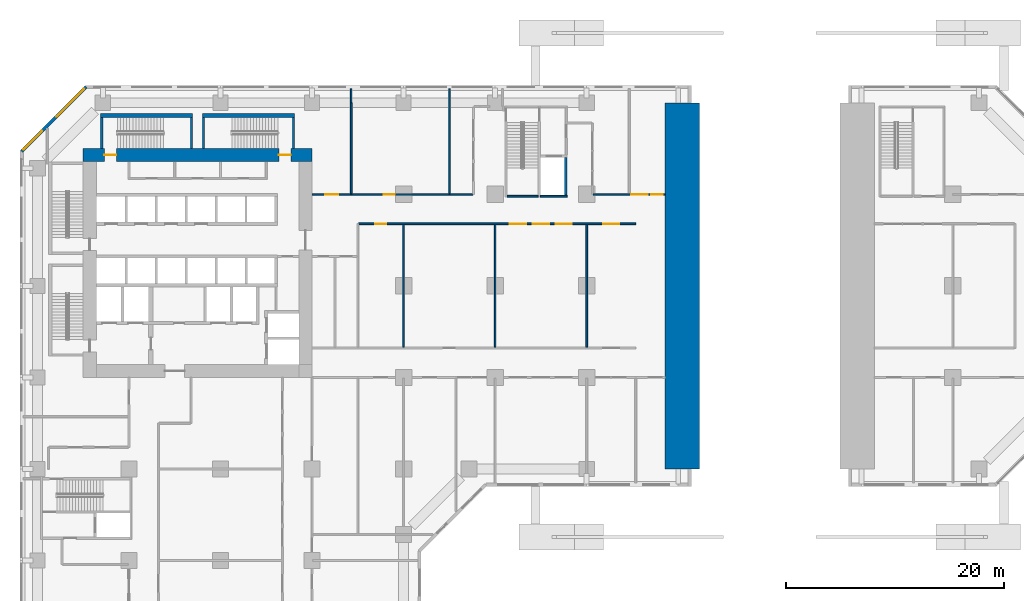
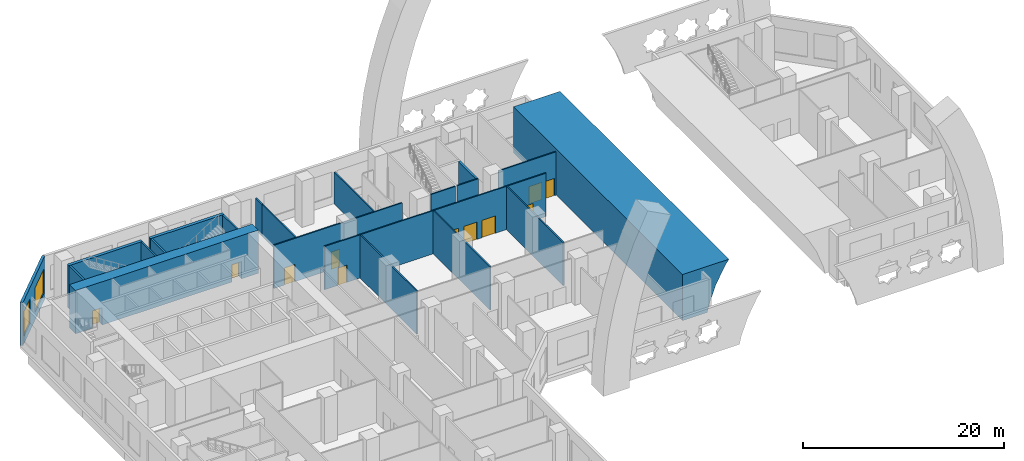
# One storey, part 10 of 19: 21 walls, 11 doors, 2 windows, 13 openings.
"""IFC4 building model written with IfcOpenShell, lengths in metres."""

from ifc_helpers import new_model, si_unit, direction, frame, frame_2d, origin, place, context, subcontext, project, spatial, polyline, rectangle, outline, extrude, material, layer, layer_set, type_object, element, fill, save


model = new_model("IFC4")

# Units and contexts
model_context = context("Model", 3, precision=1e-05, world=origin(), true_north=direction((0.0, 1.0)))
body_context = subcontext(model_context, "Body", "Model", "MODEL_VIEW")
ifc_project = project(units=[si_unit("LENGTHUNIT", "METRE"), si_unit("AREAUNIT", "SQUARE_METRE"), si_unit("VOLUMEUNIT", "CUBIC_METRE"), si_unit("PLANEANGLEUNIT", "RADIAN"), si_unit("MASSUNIT", "GRAM", prefix="KILO")], contexts=[model_context])

# Site, building, storey
site_placement = place(None, origin())
site = spatial("IfcSite", under=ifc_project, at=site_placement, CompositionType="ELEMENT")
building_placement = place(site_placement, origin())
building = spatial("IfcBuilding", under=site, at=building_placement, Name="Kawkab Arch Medical Tower", CompositionType="ELEMENT")
storey_placement = place(building_placement, frame((0.0, 0.0, 12.60009765625)))
storey = spatial("IfcBuildingStorey", under=building, at=storey_placement, Name="L03", CompositionType="ELEMENT", Elevation=12.60009765625)

# Wall
ifc_material_1 = material(Name="Concrete C60/75", Category="concrete")
wall_type_1 = type_object("IfcWallType", Name="Arch wall C60/75", PredefinedType="SHEAR", material=ifc_material_1)
wall_1_placement = place(storey_placement, frame((0.0, 0.0, -12.60009765625), z_axis=(0.0, -1.0, 0.0), x_axis=(1.0, 0.0, 0.0)))
element("IfcWall", 1, at=wall_1_placement, inside=storey, type_object=wall_type_1, Name="Arch wall L03-1", PredefinedType="SHEAR", context=body_context, shape_type="SweptSolid", body=[
    extrude(outline(polyline([(62.9375, 18.199951171875), (62.48388671875, 17.5830078125), (61.4140625, 15.591064453125), (60.634033203125, 13.468017578125), (60.447509765625, 12.60009765625), (57.60009765625, 12.60009765625), (57.60009765625, 18.199951171875), (62.9375, 18.199951171875)])), origin(), (0.0, 0.0, 1.0), 33.60009765625),
])

# Wall, openings, doors
ifc_material_2 = material(Name="Concrete C60/75", Category="concrete")
ifc_layer_1 = layer(ifc_material_2, 1.199951171875)
ifc_layer_set_1 = layer_set([ifc_layer_1], Name="Concrete C60/75")
wall_type_2 = type_object("IfcWallType", Name="Core ring wall 1200 C60/75", PredefinedType="SHEAR", material=ifc_layer_set_1)
wall_2_placement = place(storey_placement, frame((4.199951171875, -4.800048828125, 0.0), z_axis=(0.0, 0.0, 1.0), x_axis=(1.0, 0.0, 0.0)))
wall_2 = element("IfcWall", 2, at=wall_2_placement, inside=storey, type_object=wall_type_2, Name="L03 core wall", PredefinedType="SHEAR", context=body_context, shape_type="SweptSolid", body=[
    extrude(rectangle(XDim=21.0, YDim=1.199951171875, at=frame_2d((10.5, 0.0))), origin(), (0.0, 0.0, 1.0), 5.25),
])
opening_1_placement = place(wall_2_placement, frame((1.949951171875, 0.0, 0.0)))
opening_1 = element("IfcOpeningElement", 3, at=opening_1_placement, cuts=wall_2, Name="Opening SD", PredefinedType="OPENING", context=body_context, shape_type="SweptSolid", body=[
    extrude(rectangle(XDim=1.10009765625, YDim=2.10009765625, at=frame_2d((0.550048828125, 1.050048828125))), frame((0.0, 0.60986328125, 0.0), z_axis=(0.0, -1.0, 0.0), x_axis=(1.0, 0.0, 0.0)), (0.0, 0.0, 1.0), 1.219970703125),
])
opening_2_placement = place(wall_2_placement, frame((17.949951171875, 0.0, 0.0)))
opening_2 = element("IfcOpeningElement", 4, at=opening_2_placement, cuts=wall_2, Name="Opening SD", PredefinedType="OPENING", context=body_context, shape_type="SweptSolid", body=[
    extrude(rectangle(XDim=1.10009765625, YDim=2.10009765625, at=frame_2d((0.550048828125, 1.050048828125))), frame((0.0, 0.60986328125, 0.0), z_axis=(0.0, -1.0, 0.0), x_axis=(1.0, 0.0, 0.0)), (0.0, 0.0, 1.0), 1.219970703125),
])
ifc_material_3 = material(Name="Hollow metal fire door leaf")
door_type_1 = type_object("IfcDoorType", Name="Exit stair door 1100", OperationType="SINGLE_SWING_LEFT", PredefinedType="DOOR", material=ifc_material_3)
door_1_placement = place(opening_1_placement, origin())
door_1 = element("IfcDoor", 5, at=door_1_placement, inside=storey, type_object=door_type_1, Name="L03 Exit stair ST3 door", OperationType="SINGLE_SWING_LEFT", OverallHeight=2.10009765625, OverallWidth=1.10009765625, PredefinedType="DOOR", context=body_context, shape_type="SweptSolid", body=[
    extrude(rectangle(XDim=1.10009765625, YDim=2.10009765625, at=frame_2d((0.550048828125, 1.050048828125))), frame((0.0, 0.02490234375, 0.0), z_axis=(0.0, -1.0, 0.0), x_axis=(1.0, 0.0, 0.0)), (0.0, 0.0, 1.0), 0.050048828125),
])
fill(opening_1, door_1)
door_2_placement = place(opening_2_placement, origin())
door_2 = element("IfcDoor", 6, at=door_2_placement, inside=storey, type_object=door_type_1, Name="L03 Exit stair ST4 door", OperationType="SINGLE_SWING_LEFT", OverallHeight=2.10009765625, OverallWidth=1.10009765625, PredefinedType="DOOR", context=body_context, shape_type="SweptSolid", body=[
    extrude(rectangle(XDim=1.10009765625, YDim=2.10009765625, at=frame_2d((0.550048828125, 1.050048828125))), frame((0.0, 0.02490234375, 0.0), z_axis=(0.0, -1.0, 0.0), x_axis=(1.0, 0.0, 0.0)), (0.0, 0.0, 1.0), 0.050048828125),
])
fill(opening_2, door_2)

# Wall
ifc_material_4 = material(Name="Concrete C60/75", Category="concrete")
ifc_layer_2 = layer(ifc_material_4, 0.25)
ifc_layer_set_2 = layer_set([ifc_layer_2], Name="Concrete C60/75")
wall_type_3 = type_object("IfcWallType", Name="Core shear wall 250 C60/75", PredefinedType="SHEAR", material=ifc_layer_set_2)
wall_3_placement = place(storey_placement, frame((48.47509765625, -8.5, 0.0), z_axis=(0.0, 0.0, 1.0), x_axis=(0.0, 1.0, 0.0)))
element("IfcWall", 7, at=wall_3_placement, inside=storey, type_object=wall_type_3, Name="L03 core shear wall", PredefinedType="SHEAR", context=body_context, shape_type="SweptSolid", body=[
    extrude(rectangle(XDim=3.47509765625, YDim=0.25, at=frame_2d((1.737548828125, 0.0))), origin(), (0.0, 0.0, 1.0), 5.25),
])

# Wall, openings, doors
ifc_material_5 = material(Name="Gypsum board partition on steel studs, mineral wool", Category="steel")
ifc_layer_3 = layer(ifc_material_5, 0.14990234375)
ifc_layer_set_3 = layer_set([ifc_layer_3], Name="Gypsum board partition on steel studs, mineral wool")
wall_type_4 = type_object("IfcWallType", Name="Partition 150", PredefinedType="PARTITIONING", material=ifc_layer_set_3)
wall_4_placement = place(storey_placement, frame((29.47509765625, -11.10009765625, 0.0), z_axis=(0.0, 0.0, 1.0), x_axis=(1.0, 0.0, 0.0)))
wall_4 = element("IfcWall", 8, at=wall_4_placement, inside=storey, type_object=wall_type_4, Name="Partition 150 w038", PredefinedType="PARTITIONING", context=body_context, shape_type="SweptSolid", body=[
    extrude(rectangle(XDim=25.4248046875, YDim=0.14990234375, at=frame_2d((12.71240234375, 0.0))), origin(), (0.0, 0.0, 1.0), 5.25),
])
opening_3_placement = place(wall_4_placement, frame((18.074951171875, 0.0, 0.0)))
opening_3 = element("IfcOpeningElement", 9, at=opening_3_placement, cuts=wall_4, Name="Opening P03-012", PredefinedType="OPENING", context=body_context, shape_type="SweptSolid", body=[
    extrude(rectangle(XDim=1.5, YDim=2.10009765625, at=frame_2d((0.75, 1.050048828125))), frame((0.0, 0.0849609375, 0.0), z_axis=(0.0, -1.0, 0.0), x_axis=(1.0, 0.0, 0.0)), (0.0, 0.0, 1.0), 0.169921875),
])
opening_4_placement = place(wall_4_placement, frame((15.97509765625, 0.0, 0.0)))
opening_4 = element("IfcOpeningElement", 10, at=opening_4_placement, cuts=wall_4, Name="Opening P03-013", PredefinedType="OPENING", context=body_context, shape_type="SweptSolid", body=[
    extrude(rectangle(XDim=1.5, YDim=2.10009765625, at=frame_2d((0.75, 1.050048828125))), frame((0.0, 0.0849609375, 0.0), z_axis=(0.0, -1.0, 0.0), x_axis=(1.0, 0.0, 0.0)), (0.0, 0.0, 1.0), 0.169921875),
])
opening_5_placement = place(wall_4_placement, frame((13.875, 0.0, 0.0)))
opening_5 = element("IfcOpeningElement", 11, at=opening_5_placement, cuts=wall_4, Name="Opening P03-014", PredefinedType="OPENING", context=body_context, shape_type="SweptSolid", body=[
    extrude(rectangle(XDim=1.5, YDim=2.10009765625, at=frame_2d((0.75, 1.050048828125))), frame((0.0, 0.0849609375, 0.0), z_axis=(0.0, -1.0, 0.0), x_axis=(1.0, 0.0, 0.0)), (0.0, 0.0, 1.0), 0.169921875),
])
opening_6_placement = place(wall_4_placement, frame((22.425048828125, 0.0, 0.0)))
opening_6 = element("IfcOpeningElement", 12, at=opening_6_placement, cuts=wall_4, Name="Opening P03-015", PredefinedType="OPENING", context=body_context, shape_type="SweptSolid", body=[
    extrude(rectangle(XDim=1.5, YDim=2.10009765625, at=frame_2d((0.75, 1.050048828125))), frame((0.0, 0.0849609375, 0.0), z_axis=(0.0, -1.0, 0.0), x_axis=(1.0, 0.0, 0.0)), (0.0, 0.0, 1.0), 0.169921875),
])
opening_7_placement = place(wall_4_placement, frame((1.52490234375, 0.0, 0.0)))
opening_7 = element("IfcOpeningElement", 13, at=opening_7_placement, cuts=wall_4, Name="Opening P03-056", PredefinedType="OPENING", context=body_context, shape_type="SweptSolid", body=[
    extrude(rectangle(XDim=1.0, YDim=2.10009765625, at=frame_2d((0.5, 1.050048828125))), frame((0.0, 0.0849609375, 0.0), z_axis=(0.0, -1.0, 0.0), x_axis=(1.0, 0.0, 0.0)), (0.0, 0.0, 1.0), 0.169921875),
])
ifc_material_6 = material(Name="Hollow metal door leaf")
door_type_2 = type_object("IfcDoorType", Name="Double door 1500x2100 FD30S", OperationType="NOTDEFINED", PredefinedType="DOOR", material=ifc_material_6)
door_3_placement = place(opening_3_placement, origin())
door_3 = element("IfcDoor", 14, at=door_3_placement, inside=storey, type_object=door_type_2, Name="Door P03-012", OperationType="DOUBLE_DOOR_SINGLE_SWING", OverallHeight=2.10009765625, OverallWidth=1.5, PredefinedType="DOOR", context=body_context, shape_type="SweptSolid", body=[
    extrude(rectangle(XDim=1.5, YDim=2.10009765625, at=frame_2d((0.75, 1.050048828125))), frame((0.0, 0.02490234375, 0.0), z_axis=(0.0, -1.0, 0.0), x_axis=(1.0, 0.0, 0.0)), (0.0, 0.0, 1.0), 0.050048828125),
])
fill(opening_3, door_3)
door_4_placement = place(opening_4_placement, origin())
door_4 = element("IfcDoor", 15, at=door_4_placement, inside=storey, type_object=door_type_2, Name="Door P03-013", OperationType="DOUBLE_DOOR_SINGLE_SWING", OverallHeight=2.10009765625, OverallWidth=1.5, PredefinedType="DOOR", context=body_context, shape_type="SweptSolid", body=[
    extrude(rectangle(XDim=1.5, YDim=2.10009765625, at=frame_2d((0.75, 1.050048828125))), frame((0.0, 0.02490234375, 0.0), z_axis=(0.0, -1.0, 0.0), x_axis=(1.0, 0.0, 0.0)), (0.0, 0.0, 1.0), 0.050048828125),
])
fill(opening_4, door_4)
door_5_placement = place(opening_5_placement, origin())
door_5 = element("IfcDoor", 16, at=door_5_placement, inside=storey, type_object=door_type_2, Name="Door P03-014", OperationType="DOUBLE_DOOR_SINGLE_SWING", OverallHeight=2.10009765625, OverallWidth=1.5, PredefinedType="DOOR", context=body_context, shape_type="SweptSolid", body=[
    extrude(rectangle(XDim=1.5, YDim=2.10009765625, at=frame_2d((0.75, 1.050048828125))), frame((0.0, 0.02490234375, 0.0), z_axis=(0.0, -1.0, 0.0), x_axis=(1.0, 0.0, 0.0)), (0.0, 0.0, 1.0), 0.050048828125),
])
fill(opening_5, door_5)
door_6_placement = place(opening_6_placement, origin())
door_6 = element("IfcDoor", 17, at=door_6_placement, inside=storey, type_object=door_type_2, Name="Door P03-015", OperationType="DOUBLE_DOOR_SINGLE_SWING", OverallHeight=2.10009765625, OverallWidth=1.5, PredefinedType="DOOR", context=body_context, shape_type="SweptSolid", body=[
    extrude(rectangle(XDim=1.5, YDim=2.10009765625, at=frame_2d((0.75, 1.050048828125))), frame((0.0, 0.02490234375, 0.0), z_axis=(0.0, -1.0, 0.0), x_axis=(1.0, 0.0, 0.0)), (0.0, 0.0, 1.0), 0.050048828125),
])
fill(opening_6, door_6)
ifc_material_7 = material(Name="Hollow metal door leaf")
door_type_3 = type_object("IfcDoorType", Name="Single door 1000x2100 FD30S", OperationType="NOTDEFINED", PredefinedType="DOOR", material=ifc_material_7)
door_7_placement = place(opening_7_placement, origin())
door_7 = element("IfcDoor", 18, at=door_7_placement, inside=storey, type_object=door_type_3, Name="Door P03-056", OperationType="SINGLE_SWING_RIGHT", OverallHeight=2.10009765625, OverallWidth=1.0, PredefinedType="DOOR", context=body_context, shape_type="SweptSolid", body=[
    extrude(rectangle(XDim=1.0, YDim=2.10009765625, at=frame_2d((0.5, 1.050048828125))), frame((0.0, 0.02490234375, 0.0), z_axis=(0.0, -1.0, 0.0), x_axis=(1.0, 0.0, 0.0)), (0.0, 0.0, 1.0), 0.050048828125),
])
fill(opening_7, door_7)

wall_5_placement = place(storey_placement, frame((25.199951171875, -8.39990234375, 0.0), z_axis=(0.0, 0.0, 1.0), x_axis=(1.0, 0.0, 0.0)))
wall_5 = element("IfcWall", 19, at=wall_5_placement, inside=storey, type_object=wall_type_4, Name="Partition 150 w040", PredefinedType="PARTITIONING", context=body_context, shape_type="SweptSolid", body=[
    extrude(rectangle(XDim=14.73193359375, YDim=0.14990234375, at=frame_2d((7.365966796875, 0.0))), origin(), (0.0, 0.0, 1.0), 5.25),
])
opening_8_placement = place(wall_5_placement, frame((1.199951171875, 0.0, 0.0)))
opening_8 = element("IfcOpeningElement", 20, at=opening_8_placement, cuts=wall_5, Name="Opening P03-058", PredefinedType="OPENING", context=body_context, shape_type="SweptSolid", body=[
    extrude(rectangle(XDim=1.199951171875, YDim=2.10009765625, at=frame_2d((0.60009765625, 1.050048828125))), frame((0.0, 0.0849609375, 0.0), z_axis=(0.0, -1.0, 0.0), x_axis=(1.0, 0.0, 0.0)), (0.0, 0.0, 1.0), 0.169921875),
])
opening_9_placement = place(wall_5_placement, frame((6.60009765625, 0.0, 0.0)))
opening_9 = element("IfcOpeningElement", 21, at=opening_9_placement, cuts=wall_5, Name="Opening P03-050", PredefinedType="OPENING", context=body_context, shape_type="SweptSolid", body=[
    extrude(rectangle(XDim=1.0, YDim=2.10009765625, at=frame_2d((0.5, 1.050048828125))), frame((0.0, 0.0849609375, 0.0), z_axis=(0.0, -1.0, 0.0), x_axis=(1.0, 0.0, 0.0)), (0.0, 0.0, 1.0), 0.169921875),
])
door_8_placement = place(opening_9_placement, origin())
door_8 = element("IfcDoor", 22, at=door_8_placement, inside=storey, type_object=door_type_3, Name="Door P03-050", OperationType="SINGLE_SWING_RIGHT", OverallHeight=2.10009765625, OverallWidth=1.0, PredefinedType="DOOR", context=body_context, shape_type="SweptSolid", body=[
    extrude(rectangle(XDim=1.0, YDim=2.10009765625, at=frame_2d((0.5, 1.050048828125))), frame((0.0, 0.02490234375, 0.0), z_axis=(0.0, -1.0, 0.0), x_axis=(1.0, 0.0, 0.0)), (0.0, 0.0, 1.0), 0.050048828125),
])
fill(opening_9, door_8)
ifc_material_8 = material(Name="Hollow metal door leaf")
door_type_4 = type_object("IfcDoorType", Name="Single door 1200x2100 FD30S", OperationType="NOTDEFINED", PredefinedType="DOOR", material=ifc_material_8)
door_9_placement = place(opening_8_placement, origin())
door_9 = element("IfcDoor", 23, at=door_9_placement, inside=storey, type_object=door_type_4, Name="Door P03-058", OperationType="SINGLE_SWING_LEFT", OverallHeight=2.10009765625, OverallWidth=1.199951171875, PredefinedType="DOOR", context=body_context, shape_type="SweptSolid", body=[
    extrude(rectangle(XDim=1.199951171875, YDim=2.10009765625, at=frame_2d((0.60009765625, 1.050048828125))), frame((0.0, 0.02490234375, 0.0), z_axis=(0.0, -1.0, 0.0), x_axis=(1.0, 0.0, 0.0)), (0.0, 0.0, 1.0), 0.050048828125),
])
fill(opening_8, door_9)

wall_6_placement = place(storey_placement, frame((51.0, -8.39990234375, 0.0), z_axis=(0.0, 0.0, 1.0), x_axis=(1.0, 0.0, 0.0)))
wall_6 = element("IfcWall", 24, at=wall_6_placement, inside=storey, type_object=wall_type_4, Name="Partition 150 w041", PredefinedType="PARTITIONING", context=body_context, shape_type="SweptSolid", body=[
    extrude(rectangle(XDim=6.60009765625, YDim=0.14990234375, at=frame_2d((3.300048828125, 0.0))), origin(), (0.0, 0.0, 1.0), 5.25),
])
opening_10_placement = place(wall_6_placement, frame((3.5, 0.0, 0.0)))
opening_10 = element("IfcOpeningElement", 25, at=opening_10_placement, cuts=wall_6, Name="Opening P03-008", PredefinedType="OPENING", context=body_context, shape_type="SweptSolid", body=[
    extrude(rectangle(XDim=1.5, YDim=2.10009765625, at=frame_2d((0.75, 1.050048828125))), frame((0.0, 0.0849609375, 0.0), z_axis=(0.0, -1.0, 0.0), x_axis=(1.0, 0.0, 0.0)), (0.0, 0.0, 1.0), 0.169921875),
])
opening_11_placement = place(wall_6_placement, frame((5.300048828125, 0.0, 0.0)))
opening_11 = element("IfcOpeningElement", 26, at=opening_11_placement, cuts=wall_6, Name="Opening P03-002", PredefinedType="OPENING", context=body_context, shape_type="SweptSolid", body=[
    extrude(rectangle(XDim=1.10009765625, YDim=2.10009765625, at=frame_2d((0.550048828125, 1.050048828125))), frame((0.0, 0.0849609375, 0.0), z_axis=(0.0, -1.0, 0.0), x_axis=(1.0, 0.0, 0.0)), (0.0, 0.0, 1.0), 0.169921875),
])
ifc_material_9 = material(Name="Hollow metal door leaf")
door_type_5 = type_object("IfcDoorType", Name="Double door 1100x2100 FD30S", OperationType="NOTDEFINED", PredefinedType="DOOR", material=ifc_material_9)
door_10_placement = place(opening_11_placement, origin())
door_10 = element("IfcDoor", 27, at=door_10_placement, inside=storey, type_object=door_type_5, Name="Door P03-002", OperationType="DOUBLE_DOOR_SINGLE_SWING", OverallHeight=2.10009765625, OverallWidth=1.10009765625, PredefinedType="DOOR", context=body_context, shape_type="SweptSolid", body=[
    extrude(rectangle(XDim=1.10009765625, YDim=2.10009765625, at=frame_2d((0.550048828125, 1.050048828125))), frame((0.0, 0.02490234375, 0.0), z_axis=(0.0, -1.0, 0.0), x_axis=(1.0, 0.0, 0.0)), (0.0, 0.0, 1.0), 0.050048828125),
])
fill(opening_11, door_10)
door_11_placement = place(opening_10_placement, origin())
door_11 = element("IfcDoor", 28, at=door_11_placement, inside=storey, type_object=door_type_2, Name="Door P03-008", OperationType="DOUBLE_DOOR_SINGLE_SWING", OverallHeight=2.10009765625, OverallWidth=1.5, PredefinedType="DOOR", context=body_context, shape_type="SweptSolid", body=[
    extrude(rectangle(XDim=1.5, YDim=2.10009765625, at=frame_2d((0.75, 1.050048828125))), frame((0.0, 0.02490234375, 0.0), z_axis=(0.0, -1.0, 0.0), x_axis=(1.0, 0.0, 0.0)), (0.0, 0.0, 1.0), 0.050048828125),
])
fill(opening_10, door_11)

# Walls
wall_7_placement = place(storey_placement, frame((28.780029296875, 0.02001953125, 0.0), z_axis=(0.0, 0.0, 1.0), x_axis=(0.0, 1.0, 0.0)))
element("IfcWall", 29, at=wall_7_placement, inside=storey, type_object=wall_type_4, Name="Partition 150 w059", PredefinedType="PARTITIONING", context=body_context, shape_type="SweptSolid", body=[
    extrude(rectangle(XDim=1.260009765625, YDim=0.14990234375, at=frame_2d((0.6298828125, 0.0))), origin(), (0.0, 0.0, 1.0), 3.849853515625),
])
wall_8_placement = place(storey_placement, frame((28.800048828125, -8.324951171875, 0.0), z_axis=(0.0, 0.0, 1.0), x_axis=(0.0, 1.0, 0.0)))
element("IfcWall", 30, at=wall_8_placement, inside=storey, type_object=wall_type_4, Name="Partition 150 w060", PredefinedType="PARTITIONING", context=body_context, shape_type="SweptSolid", body=[
    extrude(rectangle(XDim=8.322998046875, YDim=0.14990234375, at=frame_2d((4.16162109375, 0.0))), origin(), (0.0, 0.0, 1.0), 3.849853515625),
])
wall_9_placement = place(storey_placement, frame((33.60009765625, -22.425048828125, 0.0), z_axis=(0.0, 0.0, 1.0), x_axis=(0.0, 1.0, 0.0)))
element("IfcWall", 31, at=wall_9_placement, inside=storey, type_object=wall_type_4, Name="Partition 150 w064", PredefinedType="PARTITIONING", context=body_context, shape_type="SweptSolid", body=[
    extrude(rectangle(XDim=11.25, YDim=0.14990234375, at=frame_2d((5.625, 0.0))), origin(), (0.0, 0.0, 1.0), 5.25),
])
wall_10_placement = place(storey_placement, frame((37.800048828125, -8.324951171875, 0.0), z_axis=(0.0, 0.0, 1.0), x_axis=(0.0, 1.0, 0.0)))
element("IfcWall", 32, at=wall_10_placement, inside=storey, type_object=wall_type_4, Name="Partition 150 w065", PredefinedType="PARTITIONING", context=body_context, shape_type="SweptSolid", body=[
    extrude(rectangle(XDim=9.60498046875, YDim=0.14990234375, at=frame_2d((4.802490234375, 0.0))), origin(), (0.0, 0.0, 1.0), 3.849853515625),
])
for number, where, z_axis, x_axis, name in (
    (33, (42.0, -22.425048828125, 0.0), (0.0, 0.0, 1.0), (0.0, 1.0, 0.0), "Partition 150 w069"),
    (34, (50.39990234375, -22.425048828125, 0.0), (0.0, 0.0, 1.0), (0.0, 1.0, 0.0), "Partition 150 w073"),
):
    element("IfcWall", number, at=place(storey_placement, frame(where, z_axis=z_axis, x_axis=x_axis)), inside=storey, type_object=wall_type_4, Name=name, PredefinedType="PARTITIONING", context=body_context, shape_type="SweptSolid", body=[
        extrude(rectangle(XDim=11.25, YDim=0.14990234375, at=frame_2d((5.625, 0.0))), origin(), (0.0, 0.0, 1.0), 5.25),
    ])

# Wall, openings, windows
ifc_material_10 = material(Name="Bronze clad insulated wall panel")
ifc_layer_4 = layer(ifc_material_10, 0.300048828125)
ifc_layer_set_4 = layer_set([ifc_layer_4], Name="Bronze clad insulated wall panel")
wall_type_5 = type_object("IfcWallType", Name="Podium external wall 300", PredefinedType="SOLIDWALL", material=ifc_layer_set_4)
wall_11_placement = place(storey_placement, frame((4.462158203125, 1.449951171875, 0.0), z_axis=(0.0, 0.0, 1.0), x_axis=(-0.707106781187, -0.707106781187, 0.0)))
wall_11 = element("IfcWall", 35, at=wall_11_placement, inside=storey, type_object=wall_type_5, Name="Podium external wall L03 R06", PredefinedType="SOLIDWALL", context=body_context, shape_type="SweptSolid", body=[
    extrude(rectangle(XDim=8.361083984375, YDim=0.300048828125, at=frame_2d((4.1806640625, 0.0))), origin(), (0.0, 0.0, 1.0), 5.25),
])
opening_12_placement = place(wall_11_placement, frame((0.259033203125, 0.0, 0.89990234375)))
opening_12 = element("IfcOpeningElement", 36, at=opening_12_placement, cuts=wall_11, Name="Opening PBW360-30-S9", PredefinedType="OPENING", context=body_context, shape_type="SweptSolid", body=[
    extrude(rectangle(XDim=3.60009765625, YDim=3.0, at=frame_2d((1.800048828125, 1.5))), frame((0.0, 0.159912109375, 0.0), z_axis=(0.0, -1.0, 0.0), x_axis=(1.0, 0.0, 0.0)), (0.0, 0.0, 1.0), 0.320068359375),
])
opening_13_placement = place(wall_11_placement, frame((5.6943359375, 0.0, 0.89990234375)))
opening_13 = element("IfcOpeningElement", 37, at=opening_13_placement, cuts=wall_11, Name="Opening PBW240-30-S9", PredefinedType="OPENING", context=body_context, shape_type="SweptSolid", body=[
    extrude(rectangle(XDim=2.39990234375, YDim=3.0, at=frame_2d((1.199951171875, 1.5))), frame((0.0, 0.159912109375, 0.0), z_axis=(0.0, -1.0, 0.0), x_axis=(1.0, 0.0, 0.0)), (0.0, 0.0, 1.0), 0.320068359375),
])
ifc_material_11 = material(Name="Bronze anodised aluminium louvred window", Category="aluminium")
window_type_1 = type_object("IfcWindowType", Name="Podium band window 2400 x 3000 sill 900", PartitioningType="DOUBLE_PANEL_VERTICAL", PredefinedType="WINDOW", material=ifc_material_11)
window_1_placement = place(opening_13_placement, origin())
window_1 = element("IfcWindow", 38, at=window_1_placement, inside=storey, type_object=window_type_1, Name="Band window L03 R06.2", OverallHeight=3.0, OverallWidth=2.39990234375, PartitioningType="SINGLE_PANEL", PredefinedType="WINDOW", context=body_context, shape_type="SweptSolid", body=[
    extrude(rectangle(XDim=2.39990234375, YDim=3.0, at=frame_2d((1.199951171875, 1.5))), frame((0.0, 0.030029296875, 0.0), z_axis=(0.0, -1.0, 0.0), x_axis=(1.0, 0.0, 0.0)), (0.0, 0.0, 1.0), 0.06005859375),
])
fill(opening_13, window_1)
ifc_material_12 = material(Name="Bronze anodised aluminium louvred window", Category="aluminium")
window_type_2 = type_object("IfcWindowType", Name="Podium band window 3600 x 3000 sill 900", PartitioningType="DOUBLE_PANEL_VERTICAL", PredefinedType="WINDOW", material=ifc_material_12)
window_2_placement = place(opening_12_placement, origin())
window_2 = element("IfcWindow", 39, at=window_2_placement, inside=storey, type_object=window_type_2, Name="Band window L03 R06.1", OverallHeight=3.0, OverallWidth=3.60009765625, PartitioningType="SINGLE_PANEL", PredefinedType="WINDOW", context=body_context, shape_type="SweptSolid", body=[
    extrude(rectangle(XDim=3.60009765625, YDim=3.0, at=frame_2d((1.800048828125, 1.5))), frame((0.0, 0.030029296875, 0.0), z_axis=(0.0, -1.0, 0.0), x_axis=(1.0, 0.0, 0.0)), (0.0, 0.0, 1.0), 0.06005859375),
])
fill(opening_12, window_2)

# Walls
ifc_material_13 = material(Name="Concrete C50/60", Category="concrete")
ifc_layer_5 = layer(ifc_material_13, 0.14990234375)
ifc_layer_set_5 = layer_set([ifc_layer_5], Name="Concrete C50/60")
wall_type_6 = type_object("IfcWallType", Name="Stair enclosure wall 150 C50/60", PredefinedType="SHEAR", material=ifc_layer_set_5)
wall_12_placement = place(storey_placement, frame((43.10009765625, -8.574951171875, 0.0), z_axis=(0.0, 0.0, 1.0), x_axis=(1.0, 0.0, 0.0)))
element("IfcWall", 40, at=wall_12_placement, inside=storey, type_object=wall_type_6, Name="L03 stair enclosure wall", PredefinedType="SHEAR", context=body_context, shape_type="SweptSolid", body=[
    extrude(rectangle(XDim=2.849853515625, YDim=0.14990234375, at=frame_2d((1.4248046875, 0.0))), origin(), (0.0, 0.0, 1.0), 5.25),
])
wall_13_placement = place(storey_placement, frame((46.14990234375, -8.574951171875, 0.0), z_axis=(0.0, 0.0, 1.0), x_axis=(1.0, 0.0, 0.0)))
element("IfcWall", 41, at=wall_13_placement, inside=storey, type_object=wall_type_6, Name="L03 stair enclosure wall", PredefinedType="SHEAR", context=body_context, shape_type="SweptSolid", body=[
    extrude(rectangle(XDim=2.4501953125, YDim=0.14990234375, at=frame_2d((1.22509765625, 0.0))), origin(), (0.0, 0.0, 1.0), 5.25),
])
ifc_material_14 = material(Name="Concrete C50/60", Category="concrete")
ifc_layer_6 = layer(ifc_material_14, 0.199951171875)
ifc_layer_set_6 = layer_set([ifc_layer_6], Name="Concrete C50/60")
wall_type_7 = type_object("IfcWallType", Name="Stair enclosure wall 200 C50/60", PredefinedType="SHEAR", material=ifc_layer_set_6)
for number, where, z_axis, x_axis, name in (
    (42, (5.89990234375, -4.199951171875, 0.0), (0.0, 0.0, 1.0), (0.0, 1.0, 0.0), "L03 stair enclosure wall"),
    (43, (14.14990234375, -4.199951171875, 0.0), (0.0, 0.0, 1.0), (0.0, 1.0, 0.0), "L03 stair enclosure wall"),
    (44, (15.25, -4.199951171875, 0.0), (0.0, 0.0, 1.0), (0.0, 1.0, 0.0), "L03 stair enclosure wall"),
    (45, (23.5, -4.199951171875, 0.0), (0.0, 0.0, 1.0), (0.0, 1.0, 0.0), "L03 stair enclosure wall"),
):
    element("IfcWall", number, at=place(storey_placement, frame(where, z_axis=z_axis, x_axis=x_axis)), inside=storey, type_object=wall_type_7, Name=name, PredefinedType="SHEAR", context=body_context, shape_type="SweptSolid", body=[
        extrude(rectangle(XDim=2.849853515625, YDim=0.199951171875, at=frame_2d((1.4248046875, 0.0))), origin(), (0.0, 0.0, 1.0), 5.25),
    ])
ifc_material_15 = material(Name="Concrete C50/60", Category="concrete")
ifc_layer_7 = layer(ifc_material_15, 0.35009765625)
ifc_layer_set_7 = layer_set([ifc_layer_7], Name="Concrete C50/60")
wall_type_8 = type_object("IfcWallType", Name="Stair enclosure wall 350 C50/60", PredefinedType="SHEAR", material=ifc_layer_set_7)
wall_14_placement = place(storey_placement, frame((5.800048828125, -1.175048828125, 0.0), z_axis=(0.0, 0.0, 1.0), x_axis=(1.0, 0.0, 0.0)))
element("IfcWall", 46, at=wall_14_placement, inside=storey, type_object=wall_type_8, Name="L03 stair enclosure wall", PredefinedType="SHEAR", context=body_context, shape_type="SweptSolid", body=[
    extrude(rectangle(XDim=8.449951171875, YDim=0.35009765625, at=frame_2d((4.22509765625, 0.0))), origin(), (0.0, 0.0, 1.0), 5.25),
])
wall_15_placement = place(storey_placement, frame((15.14990234375, -1.175048828125, 0.0), z_axis=(0.0, 0.0, 1.0), x_axis=(1.0, 0.0, 0.0)))
element("IfcWall", 47, at=wall_15_placement, inside=storey, type_object=wall_type_8, Name="L03 stair enclosure wall", PredefinedType="SHEAR", context=body_context, shape_type="SweptSolid", body=[
    extrude(rectangle(XDim=8.4501953125, YDim=0.35009765625, at=frame_2d((4.22509765625, 0.0))), origin(), (0.0, 0.0, 1.0), 5.25),
])

save(model, "model.ifc")
